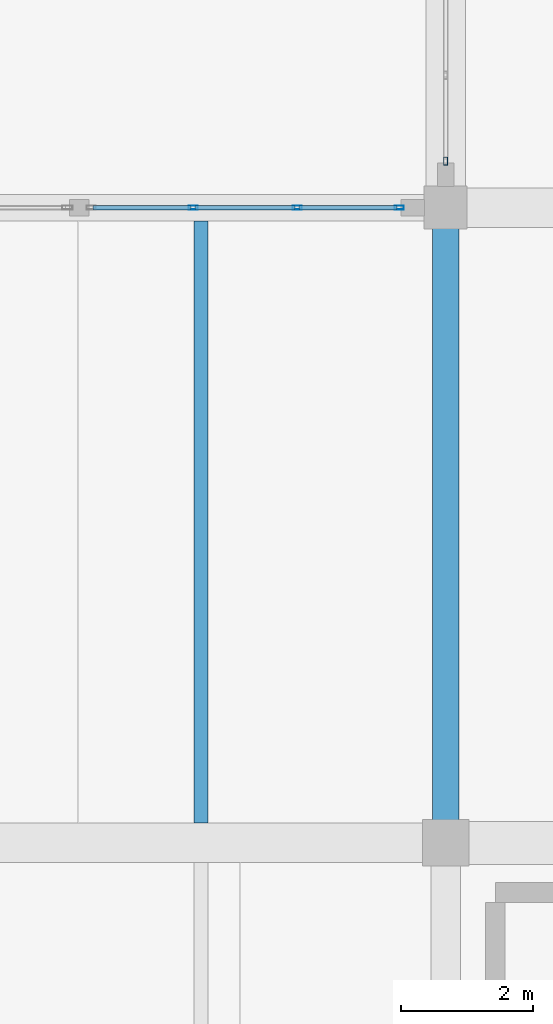
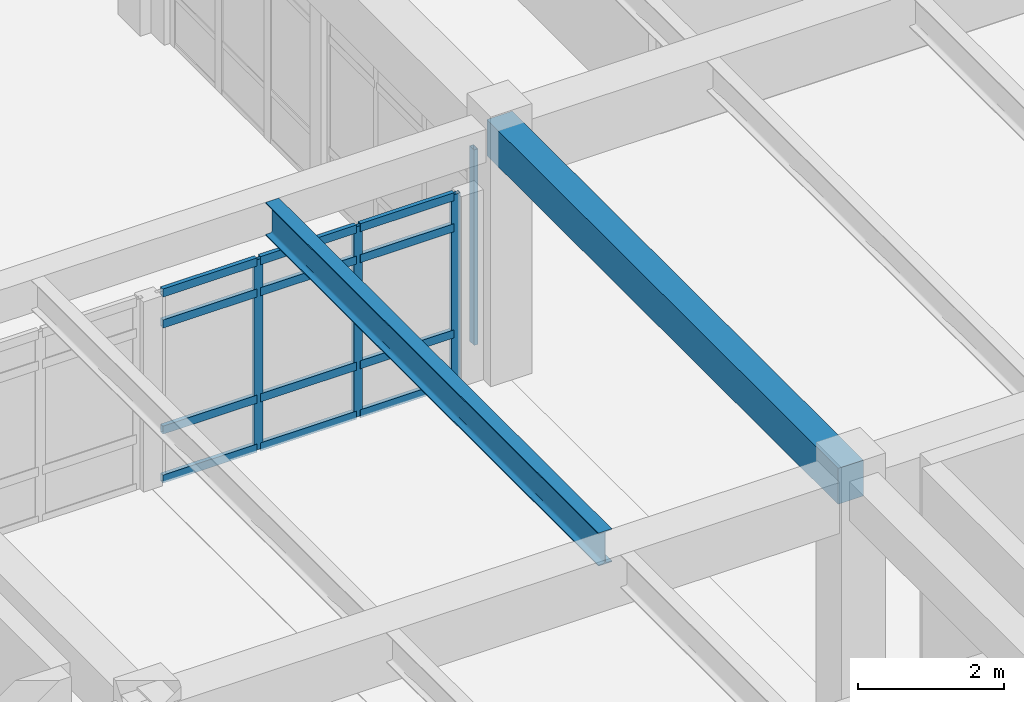
# One storey, part 27 of 109: 16 members, 2 beams, 2 elements without a shape of their own.
"""IFC4 building model written with IfcOpenShell, lengths in metres."""

from ifc_helpers import new_model, si_unit, direction, frame, origin, origin_2d, place, context, subcontext, project, spatial, rectangle, hollow_rectangle, i_section, extrude, material, layer, layer_set, material_profile, profile_set, type_object, element, aggregate, save


model = new_model("IFC4")

# Units and contexts
model_context = context("Model", 3, precision=1e-05, world=origin(), true_north=direction((0.0, 1.0)))
body_context = subcontext(model_context, "Body", "Model", "MODEL_VIEW")
ifc_project = project(units=[si_unit("LENGTHUNIT", "METRE"), si_unit("AREAUNIT", "SQUARE_METRE"), si_unit("VOLUMEUNIT", "CUBIC_METRE"), si_unit("PLANEANGLEUNIT", "RADIAN"), si_unit("MASSUNIT", "GRAM", prefix="KILO")], contexts=[model_context])

# Site, building, storey
site_placement = place(None, origin())
site = spatial("IfcSite", under=ifc_project, at=site_placement, CompositionType="ELEMENT")
building_placement = place(site_placement, origin())
building = spatial("IfcBuilding", under=site, at=building_placement, Name="Fikremerkos Civic Library", CompositionType="ELEMENT")
storey_placement = place(building_placement, frame((0.0, 0.0, 5.39990234375)))
storey = spatial("IfcBuildingStorey", under=building, at=storey_placement, Name="L01", CompositionType="ELEMENT", Elevation=5.39990234375)

# Curtain wall, members
ifc_material_1 = material(Name="Anodized aluminium Frame", Category="aluminium")
ifc_layer_1 = layer(ifc_material_1, 0.159912109375, Name="Anodized aluminium Frame")
ifc_layer_set_1 = layer_set([ifc_layer_1], Name="Anodized aluminium Frame")
curtain_wall_type_1 = type_object("IfcCurtainWallType", Name="Unitised curtain wall CW-11 3200x3400", PredefinedType="USERDEFINED", material=ifc_layer_set_1)
curtain_wall_1_placement = place(storey_placement, origin())
curtain_wall_1 = element("IfcCurtainWall", 1, at=curtain_wall_1_placement, inside=storey, type_object=curtain_wall_type_1, Name="Unitised curtain wall CW-11 L01 #101", ObjectType="UNITISED CURTAIN WALL", PredefinedType="USERDEFINED")
ifc_material_profile_1 = material_profile(ifc_material_1, hollow_rectangle(XDim=0.06005859375, YDim=0.139892578125, WallThickness=0.00390625, at=origin_2d()), Name="ALU 140x60x4")
ifc_profile_set_1 = profile_set([ifc_material_profile_1], Name="Anodized aluminium Frame")
member_type_1 = type_object("IfcMemberType", Name="Curtain mullion CWM-03 ALU 140x60x4", PredefinedType="MULLION", material=ifc_profile_set_1)
member_1_placement = place(storey_placement, frame((120.98388671875, 31.199951171875, 0.0), z_axis=(0.0, 0.0, 1.0), x_axis=(0.0, 1.0, 0.0)))
member_1 = element("IfcMember", 2, at=member_1_placement, type_object=member_type_1, Name="CW-11 mullion 2", PredefinedType="MULLION", context=body_context, shape_type="SweptSolid", body=[
    extrude(hollow_rectangle(XDim=0.06005859375, YDim=0.139892578125, WallThickness=0.00390625, at=origin_2d()), origin(), (0.0, 0.0, 1.0), 3.170166015625),
])
member_2_placement = place(storey_placement, frame((122.555419921875, 31.199951171875, 0.0), z_axis=(0.0, 0.0, 1.0), x_axis=(0.0, 1.0, 0.0)))
member_2 = element("IfcMember", 3, at=member_2_placement, type_object=member_type_1, Name="CW-11 mullion 3", PredefinedType="MULLION", context=body_context, shape_type="SweptSolid", body=[
    extrude(hollow_rectangle(XDim=0.06005859375, YDim=0.139892578125, WallThickness=0.00390625, at=origin_2d()), origin(), (0.0, 0.0, 1.0), 3.170166015625),
])
member_3_placement = place(storey_placement, frame((124.096923828125, 31.199951171875, 0.0), z_axis=(0.0, 0.0, 1.0), x_axis=(0.0, 1.0, 0.0)))
member_3 = element("IfcMember", 4, at=member_3_placement, type_object=member_type_1, Name="CW-11 mullion 4", PredefinedType="MULLION", context=body_context, shape_type="SweptSolid", body=[
    extrude(hollow_rectangle(XDim=0.06005859375, YDim=0.139892578125, WallThickness=0.00390625, at=origin_2d()), origin(), (0.0, 0.0, 1.0), 3.170166015625),
])

# Curtain wall, member
ifc_layer_2 = layer(ifc_material_1, 0.159912109375, Name="Anodized aluminium Frame")
ifc_layer_set_2 = layer_set([ifc_layer_2], Name="Anodized aluminium Frame")
curtain_wall_type_2 = type_object("IfcCurtainWallType", Name="Unitised curtain wall CW-12 4300x3400", PredefinedType="USERDEFINED", material=ifc_layer_set_2)
curtain_wall_2_placement = place(storey_placement, origin())
curtain_wall_2 = element("IfcCurtainWall", 5, at=curtain_wall_2_placement, inside=storey, type_object=curtain_wall_type_2, Name="Unitised curtain wall CW-12 L01 #102", ObjectType="UNITISED CURTAIN WALL", PredefinedType="USERDEFINED")
ifc_material_profile_2 = material_profile(ifc_material_1, hollow_rectangle(XDim=0.06005859375, YDim=0.1201171875, WallThickness=0.00390625, at=origin_2d()), Name="ALU 120x60x4")
ifc_profile_set_2 = profile_set([ifc_material_profile_2], Name="Anodized aluminium Frame")
member_type_2 = type_object("IfcMemberType", Name="Curtain mullion CWM-04 ALU 120x60x4", PredefinedType="MULLION", material=ifc_profile_set_2)
member_4_placement = place(storey_placement, frame((124.800048828125, 31.903076171875, 0.0), z_axis=(0.0, 0.0, 1.0), x_axis=(-1.0, 0.0, 0.0)))
member_4 = element("IfcMember", 6, at=member_4_placement, type_object=member_type_2, Name="CW-12 mullion 1", PredefinedType="MULLION", context=body_context, shape_type="SweptSolid", body=[
    extrude(hollow_rectangle(XDim=0.06005859375, YDim=0.1201171875, WallThickness=0.00390625, at=origin_2d()), origin(), (0.0, 0.0, 1.0), 3.260009765625),
])
aggregate(curtain_wall_2, [member_4])

# Member
ifc_material_profile_3 = material_profile(ifc_material_1, hollow_rectangle(XDim=0.06494140625, YDim=0.135009765625, WallThickness=0.00439453125, at=origin_2d()), Name="ALU 135x65x4.5")
ifc_profile_set_3 = profile_set([ifc_material_profile_3], Name="Anodized aluminium Frame")
member_type_3 = type_object("IfcMemberType", Name="Curtain transom CWT-02 ALU 135x65x4.5", PredefinedType="USERDEFINED", material=ifc_profile_set_3)
member_5_placement = place(storey_placement, frame((119.472412109375, 31.199951171875, 0.03271484375), z_axis=(1.0, 0.0, 0.0), x_axis=(0.0, 1.0, 0.0)))
member_5 = element("IfcMember", 7, at=member_5_placement, type_object=member_type_3, Name="CW-11 transom 1.1", ObjectType="TRANSOM", PredefinedType="USERDEFINED", context=body_context, shape_type="SweptSolid", body=[
    extrude(hollow_rectangle(XDim=0.06494140625, YDim=0.135009765625, WallThickness=0.00439453125, at=origin_2d()), origin(), (0.0, 0.0, 1.0), 1.481689453125),
])

member_6_placement = place(storey_placement, frame((119.472412109375, 31.199951171875, 0.85009765625), z_axis=(1.0, 0.0, 0.0), x_axis=(0.0, 1.0, 0.0)))
member_6 = element("IfcMember", 8, at=member_6_placement, type_object=member_type_3, Name="CW-11 transom 1.2", ObjectType="TRANSOM", PredefinedType="USERDEFINED", context=body_context, shape_type="SweptSolid", body=[
    extrude(hollow_rectangle(XDim=0.06494140625, YDim=0.135009765625, WallThickness=0.00439453125, at=origin_2d()), origin(), (0.0, 0.0, 1.0), 1.481689453125),
])

member_7_placement = place(storey_placement, frame((119.472412109375, 31.199951171875, 2.6201171875), z_axis=(1.0, 0.0, 0.0), x_axis=(0.0, 1.0, 0.0)))
member_7 = element("IfcMember", 9, at=member_7_placement, type_object=member_type_3, Name="CW-11 transom 1.3", ObjectType="TRANSOM", PredefinedType="USERDEFINED", context=body_context, shape_type="SweptSolid", body=[
    extrude(hollow_rectangle(XDim=0.06494140625, YDim=0.135009765625, WallThickness=0.00439453125, at=origin_2d()), origin(), (0.0, 0.0, 1.0), 1.481689453125),
])

member_8_placement = place(storey_placement, frame((119.472412109375, 31.199951171875, 3.1376953125), z_axis=(1.0, 0.0, 0.0), x_axis=(0.0, 1.0, 0.0)))
member_8 = element("IfcMember", 10, at=member_8_placement, type_object=member_type_3, Name="CW-11 transom 1.4", ObjectType="TRANSOM", PredefinedType="USERDEFINED", context=body_context, shape_type="SweptSolid", body=[
    extrude(hollow_rectangle(XDim=0.06494140625, YDim=0.135009765625, WallThickness=0.00439453125, at=origin_2d()), origin(), (0.0, 0.0, 1.0), 1.481689453125),
])

member_9_placement = place(storey_placement, frame((121.013916015625, 31.199951171875, 0.03271484375), z_axis=(1.0, 0.0, 0.0), x_axis=(0.0, 1.0, 0.0)))
member_9 = element("IfcMember", 11, at=member_9_placement, type_object=member_type_3, Name="CW-11 transom 2.1", ObjectType="TRANSOM", PredefinedType="USERDEFINED", context=body_context, shape_type="SweptSolid", body=[
    extrude(hollow_rectangle(XDim=0.06494140625, YDim=0.135009765625, WallThickness=0.00439453125, at=origin_2d()), origin(), (0.0, 0.0, 1.0), 1.511474609375),
])

member_10_placement = place(storey_placement, frame((121.013916015625, 31.199951171875, 0.85009765625), z_axis=(1.0, 0.0, 0.0), x_axis=(0.0, 1.0, 0.0)))
member_10 = element("IfcMember", 12, at=member_10_placement, type_object=member_type_3, Name="CW-11 transom 2.2", ObjectType="TRANSOM", PredefinedType="USERDEFINED", context=body_context, shape_type="SweptSolid", body=[
    extrude(hollow_rectangle(XDim=0.06494140625, YDim=0.135009765625, WallThickness=0.00439453125, at=origin_2d()), origin(), (0.0, 0.0, 1.0), 1.511474609375),
])

member_11_placement = place(storey_placement, frame((121.013916015625, 31.199951171875, 2.6201171875), z_axis=(1.0, 0.0, 0.0), x_axis=(0.0, 1.0, 0.0)))
member_11 = element("IfcMember", 13, at=member_11_placement, type_object=member_type_3, Name="CW-11 transom 2.3", ObjectType="TRANSOM", PredefinedType="USERDEFINED", context=body_context, shape_type="SweptSolid", body=[
    extrude(hollow_rectangle(XDim=0.06494140625, YDim=0.135009765625, WallThickness=0.00439453125, at=origin_2d()), origin(), (0.0, 0.0, 1.0), 1.511474609375),
])

member_12_placement = place(storey_placement, frame((121.013916015625, 31.199951171875, 3.1376953125), z_axis=(1.0, 0.0, 0.0), x_axis=(0.0, 1.0, 0.0)))
member_12 = element("IfcMember", 14, at=member_12_placement, type_object=member_type_3, Name="CW-11 transom 2.4", ObjectType="TRANSOM", PredefinedType="USERDEFINED", context=body_context, shape_type="SweptSolid", body=[
    extrude(hollow_rectangle(XDim=0.06494140625, YDim=0.135009765625, WallThickness=0.00439453125, at=origin_2d()), origin(), (0.0, 0.0, 1.0), 1.511474609375),
])

member_13_placement = place(storey_placement, frame((122.58544921875, 31.199951171875, 0.03271484375), z_axis=(1.0, 0.0, 0.0), x_axis=(0.0, 1.0, 0.0)))
member_13 = element("IfcMember", 15, at=member_13_placement, type_object=member_type_3, Name="CW-11 transom 3.1", ObjectType="TRANSOM", PredefinedType="USERDEFINED", context=body_context, shape_type="SweptSolid", body=[
    extrude(hollow_rectangle(XDim=0.06494140625, YDim=0.135009765625, WallThickness=0.00439453125, at=origin_2d()), origin(), (0.0, 0.0, 1.0), 1.4814453125),
])

member_14_placement = place(storey_placement, frame((122.58544921875, 31.199951171875, 0.85009765625), z_axis=(1.0, 0.0, 0.0), x_axis=(0.0, 1.0, 0.0)))
member_14 = element("IfcMember", 16, at=member_14_placement, type_object=member_type_3, Name="CW-11 transom 3.2", ObjectType="TRANSOM", PredefinedType="USERDEFINED", context=body_context, shape_type="SweptSolid", body=[
    extrude(hollow_rectangle(XDim=0.06494140625, YDim=0.135009765625, WallThickness=0.00439453125, at=origin_2d()), origin(), (0.0, 0.0, 1.0), 1.4814453125),
])

member_15_placement = place(storey_placement, frame((122.58544921875, 31.199951171875, 2.6201171875), z_axis=(1.0, 0.0, 0.0), x_axis=(0.0, 1.0, 0.0)))
member_15 = element("IfcMember", 17, at=member_15_placement, type_object=member_type_3, Name="CW-11 transom 3.3", ObjectType="TRANSOM", PredefinedType="USERDEFINED", context=body_context, shape_type="SweptSolid", body=[
    extrude(hollow_rectangle(XDim=0.06494140625, YDim=0.135009765625, WallThickness=0.00439453125, at=origin_2d()), origin(), (0.0, 0.0, 1.0), 1.4814453125),
])

member_16_placement = place(storey_placement, frame((122.58544921875, 31.199951171875, 3.1376953125), z_axis=(1.0, 0.0, 0.0), x_axis=(0.0, 1.0, 0.0)))
member_16 = element("IfcMember", 18, at=member_16_placement, type_object=member_type_3, Name="CW-11 transom 3.4", ObjectType="TRANSOM", PredefinedType="USERDEFINED", context=body_context, shape_type="SweptSolid", body=[
    extrude(hollow_rectangle(XDim=0.06494140625, YDim=0.135009765625, WallThickness=0.00439453125, at=origin_2d()), origin(), (0.0, 0.0, 1.0), 1.4814453125),
])

aggregate(curtain_wall_1, [member_1, member_2, member_3, member_5, member_6, member_7, member_8, member_9, member_10, member_11, member_12, member_13, member_14, member_15, member_16])

# Beams
ifc_material_2 = material(Name="Steel S355", Category="steel")
ifc_material_profile_4 = material_profile(ifc_material_2, i_section(OverallWidth=0.2099609375, OverallDepth=0.550048828125, WebThickness=0.010986328125, FlangeThickness=0.01708984375, FilletRadius=0.02392578125, at=origin_2d()), Name="IPE 550")
ifc_profile_set_4 = profile_set([ifc_material_profile_4], Name="Steel S355")
beam_type_1 = type_object("IfcBeamType", Name="Floor joist JS-05 IPE 550", PredefinedType="JOIST", material=ifc_profile_set_4)
beam_1_placement = place(storey_placement, frame((121.10009765625, 21.89990234375, 3.945068359375), z_axis=(0.0, 1.0, 0.0), x_axis=(-1.0, 0.0, 0.0)))
element("IfcBeam", 19, at=beam_1_placement, inside=storey, type_object=beam_type_1, Name="Floor joist JS-05 L01 #447", PredefinedType="JOIST", context=body_context, shape_type="SweptSolid", body=[
    extrude(i_section(OverallWidth=0.2099609375, OverallDepth=0.550048828125, WebThickness=0.010986328125, FlangeThickness=0.01708984375, FilletRadius=0.02392578125, at=origin_2d()), origin(), (0.0, 0.0, 1.0), 9.10009765625),
])
ifc_material_3 = material(Name="Concrete C40/50", Category="concrete")
ifc_material_profile_5 = material_profile(ifc_material_3, rectangle(XDim=0.39990234375, YDim=0.60009765625, at=origin_2d()), Name="RC 400x600")
ifc_profile_set_5 = profile_set([ifc_material_profile_5], Name="Concrete C40/50")
beam_type_2 = type_object("IfcBeamType", Name="Primary girder BM-08 RC 400x600", PredefinedType="BEAM", material=ifc_profile_set_5)
beam_2_placement = place(storey_placement, frame((124.800048828125, 21.60009765625, 3.920166015625), z_axis=(0.0, 1.0, 0.0), x_axis=(-1.0, 0.0, 0.0)))
element("IfcBeam", 20, at=beam_2_placement, inside=storey, type_object=beam_type_2, Name="Primary girder BM-08 L01 grid 11", PredefinedType="BEAM", context=body_context, shape_type="SweptSolid", body=[
    extrude(rectangle(XDim=0.39990234375, YDim=0.60009765625, at=origin_2d()), origin(), (0.0, 0.0, 1.0), 9.599853515625),
])

save(model, "model.ifc")
